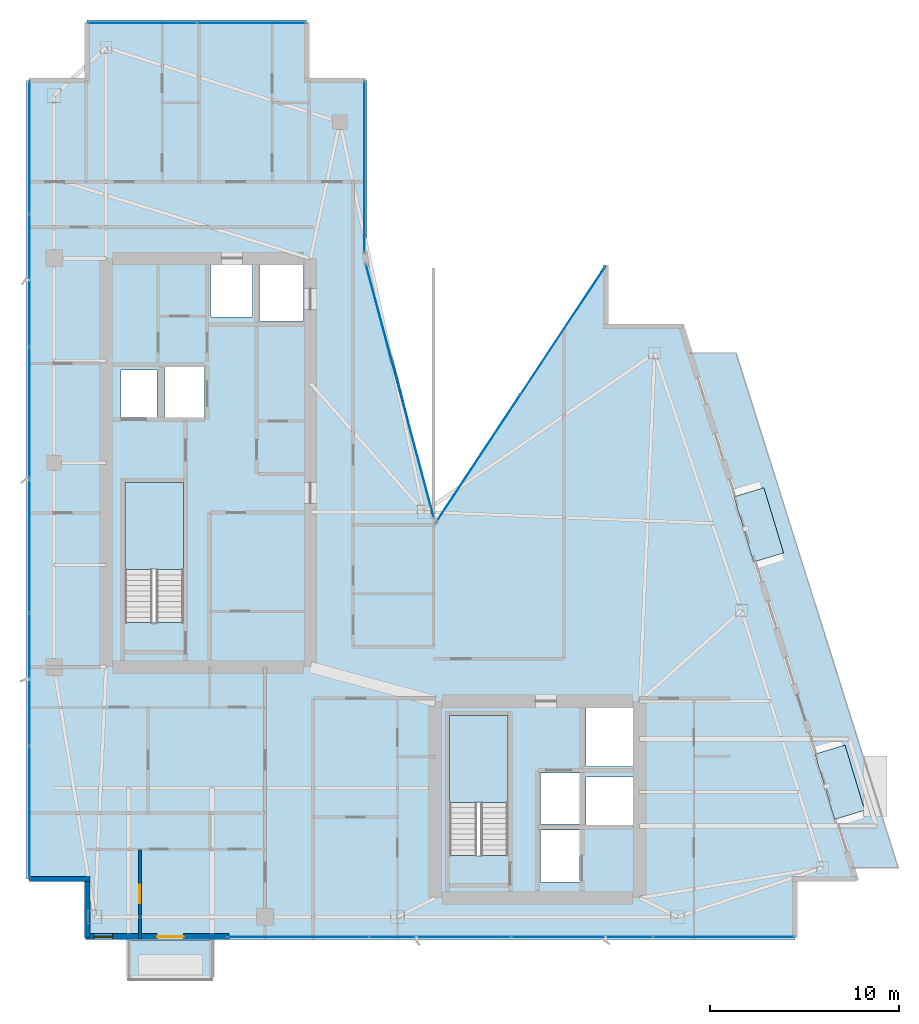
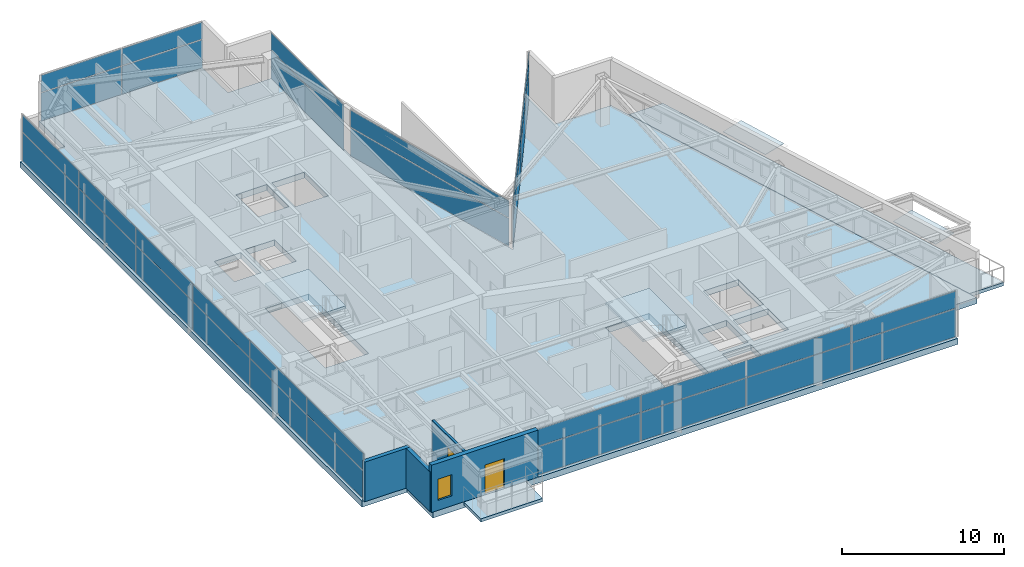
# One storey, part 22 of 28: 34 plates, 5 slabs, 4 walls, 2 doors, 1 window, 3 openings, 8 elements without a shape of their own.
"""IFC4 building model written with IfcOpenShell, lengths in metres."""

from ifc_helpers import new_model, si_unit, direction, frame, frame_2d, origin, origin_2d, place, context, subcontext, project, spatial, polyline, rectangle, outline, extrude, material, layer, layer_set, type_object, element, fill, aggregate, save


model = new_model("IFC4")

# Units and contexts
model_context = context("Model", 3, precision=1e-05, world=origin(), true_north=direction((0.0, 1.0)))
body_context = subcontext(model_context, "Body", "Model", "MODEL_VIEW")
ifc_project = project(units=[si_unit("LENGTHUNIT", "METRE"), si_unit("AREAUNIT", "SQUARE_METRE"), si_unit("VOLUMEUNIT", "CUBIC_METRE"), si_unit("PLANEANGLEUNIT", "RADIAN"), si_unit("MASSUNIT", "GRAM", prefix="KILO")], contexts=[model_context])

# Site, building, storey
site_placement = place(None, origin())
site = spatial("IfcSite", under=ifc_project, at=site_placement, CompositionType="ELEMENT")
building_placement = place(site_placement, origin())
building = spatial("IfcBuilding", under=site, at=building_placement, Name="Calvorn Quay Hotel", CompositionType="ELEMENT")
storey_placement = place(building_placement, frame((0.0, 0.0, 263.5)))
storey = spatial("IfcBuildingStorey", under=building, at=storey_placement, Name="L65", CompositionType="ELEMENT", Elevation=263.5)

# Curtain wall, plates
ifc_material_1 = material(Name="Champagne Bronze Anodised Aluminium and Low-E Glass", Category="aluminium")
ifc_layer_1 = layer(ifc_material_1, 0.219970703125)
ifc_layer_set_1 = layer_set([ifc_layer_1], Name="CW-SYS-Z4")
curtain_wall_type = type_object("IfcCurtainWallType", Name="CW-SYS-Z4", PredefinedType="NOTDEFINED", material=ifc_layer_set_1)
curtain_wall_1_placement = place(storey_placement, origin())
curtain_wall_1 = element("IfcCurtainWall", 1, at=curtain_wall_1_placement, inside=storey, type_object=curtain_wall_type, Name="Tower West Curtain Wall (L65)", PredefinedType="NOTDEFINED")
ifc_material_2 = material(Name="Low-E Laminated Double Glazing", Category="glass")
ifc_layer_2 = layer(ifc_material_2, 0.028076171875)
ifc_layer_set_2 = layer_set([ifc_layer_2], Name="CW-SYS-Z4-PAN")
plate_type_1 = type_object("IfcPlateType", Name="CW-SYS-Z4-PAN", PredefinedType="CURTAIN_PANEL", material=ifc_layer_set_2)
plate_1_placement = place(storey_placement, frame((0.14990234375, 9.131591796875, 0.06005859375), z_axis=(0.0, 0.0, 1.0), x_axis=(0.0, 1.0, 0.0)))
plate_1 = element("IfcPlate", 2, at=plate_1_placement, type_object=plate_type_1, Name="CW-L65-W panel 1.1", PredefinedType="CURTAIN_PANEL", context=body_context, shape_type="SweptSolid", body=[
    extrude(rectangle(XDim=6.943359375, YDim=0.028076171875, at=origin_2d()), origin(), (0.0, 0.0, 1.0), 2.110107421875),
])
plate_2_placement = place(storey_placement, frame((0.14990234375, 9.131591796875, 2.22998046875), z_axis=(0.0, 0.0, 1.0), x_axis=(0.0, 1.0, 0.0)))
plate_2 = element("IfcPlate", 3, at=plate_2_placement, type_object=plate_type_1, Name="CW-L65-W panel 1.2", PredefinedType="CURTAIN_PANEL", context=body_context, shape_type="SweptSolid", body=[
    extrude(rectangle(XDim=6.943359375, YDim=0.028076171875, at=origin_2d()), origin(), (0.0, 0.0, 1.0), 1.27001953125),
])
plate_3_placement = place(storey_placement, frame((0.14990234375, 16.14990234375, 0.06005859375), z_axis=(0.0, 0.0, 1.0), x_axis=(0.0, 1.0, 0.0)))
plate_3 = element("IfcPlate", 4, at=plate_3_placement, type_object=plate_type_1, Name="CW-L65-W panel 2.1", PredefinedType="CURTAIN_PANEL", context=body_context, shape_type="SweptSolid", body=[
    extrude(rectangle(XDim=6.973388671875, YDim=0.028076171875, at=origin_2d()), origin(), (0.0, 0.0, 1.0), 2.110107421875),
])
plate_4_placement = place(storey_placement, frame((0.14990234375, 16.14990234375, 2.22998046875), z_axis=(0.0, 0.0, 1.0), x_axis=(0.0, 1.0, 0.0)))
plate_4 = element("IfcPlate", 5, at=plate_4_placement, type_object=plate_type_1, Name="CW-L65-W panel 2.2", PredefinedType="CURTAIN_PANEL", context=body_context, shape_type="SweptSolid", body=[
    extrude(rectangle(XDim=6.973388671875, YDim=0.028076171875, at=origin_2d()), origin(), (0.0, 0.0, 1.0), 1.27001953125),
])
plate_5_placement = place(storey_placement, frame((0.14990234375, 23.183349609375, 0.06005859375), z_axis=(0.0, 0.0, 1.0), x_axis=(0.0, 1.0, 0.0)))
plate_5 = element("IfcPlate", 6, at=plate_5_placement, type_object=plate_type_1, Name="CW-L65-W panel 3.1", PredefinedType="CURTAIN_PANEL", context=body_context, shape_type="SweptSolid", body=[
    extrude(rectangle(XDim=6.973388671875, YDim=0.028076171875, at=origin_2d()), origin(), (0.0, 0.0, 1.0), 2.110107421875),
])
plate_6_placement = place(storey_placement, frame((0.14990234375, 23.183349609375, 2.22998046875), z_axis=(0.0, 0.0, 1.0), x_axis=(0.0, 1.0, 0.0)))
plate_6 = element("IfcPlate", 7, at=plate_6_placement, type_object=plate_type_1, Name="CW-L65-W panel 3.2", PredefinedType="CURTAIN_PANEL", context=body_context, shape_type="SweptSolid", body=[
    extrude(rectangle(XDim=6.973388671875, YDim=0.028076171875, at=origin_2d()), origin(), (0.0, 0.0, 1.0), 1.27001953125),
])
plate_7_placement = place(storey_placement, frame((0.14990234375, 30.216552734375, 0.06005859375), z_axis=(0.0, 0.0, 1.0), x_axis=(0.0, 1.0, 0.0)))
plate_7 = element("IfcPlate", 8, at=plate_7_placement, type_object=plate_type_1, Name="CW-L65-W panel 4.1", PredefinedType="CURTAIN_PANEL", context=body_context, shape_type="SweptSolid", body=[
    extrude(rectangle(XDim=6.973388671875, YDim=0.028076171875, at=origin_2d()), origin(), (0.0, 0.0, 1.0), 2.110107421875),
])
plate_8_placement = place(storey_placement, frame((0.14990234375, 30.216552734375, 2.22998046875), z_axis=(0.0, 0.0, 1.0), x_axis=(0.0, 1.0, 0.0)))
plate_8 = element("IfcPlate", 9, at=plate_8_placement, type_object=plate_type_1, Name="CW-L65-W panel 4.2", PredefinedType="CURTAIN_PANEL", context=body_context, shape_type="SweptSolid", body=[
    extrude(rectangle(XDim=6.973388671875, YDim=0.028076171875, at=origin_2d()), origin(), (0.0, 0.0, 1.0), 1.27001953125),
])
plate_9_placement = place(storey_placement, frame((0.14990234375, 37.25, 0.06005859375), z_axis=(0.0, 0.0, 1.0), x_axis=(0.0, 1.0, 0.0)))
plate_9 = element("IfcPlate", 10, at=plate_9_placement, type_object=plate_type_1, Name="CW-L65-W panel 5.1", PredefinedType="CURTAIN_PANEL", context=body_context, shape_type="SweptSolid", body=[
    extrude(rectangle(XDim=6.973388671875, YDim=0.028076171875, at=origin_2d()), origin(), (0.0, 0.0, 1.0), 2.110107421875),
])
plate_10_placement = place(storey_placement, frame((0.14990234375, 37.25, 2.22998046875), z_axis=(0.0, 0.0, 1.0), x_axis=(0.0, 1.0, 0.0)))
plate_10 = element("IfcPlate", 11, at=plate_10_placement, type_object=plate_type_1, Name="CW-L65-W panel 5.2", PredefinedType="CURTAIN_PANEL", context=body_context, shape_type="SweptSolid", body=[
    extrude(rectangle(XDim=6.973388671875, YDim=0.028076171875, at=origin_2d()), origin(), (0.0, 0.0, 1.0), 1.27001953125),
])
plate_11_placement = place(storey_placement, frame((0.14990234375, 44.268310546875, 0.06005859375), z_axis=(0.0, 0.0, 1.0), x_axis=(0.0, 1.0, 0.0)))
plate_11 = element("IfcPlate", 12, at=plate_11_placement, type_object=plate_type_1, Name="CW-L65-W panel 6.1", PredefinedType="CURTAIN_PANEL", context=body_context, shape_type="SweptSolid", body=[
    extrude(rectangle(XDim=6.943359375, YDim=0.028076171875, at=origin_2d()), origin(), (0.0, 0.0, 1.0), 2.110107421875),
])
plate_12_placement = place(storey_placement, frame((0.14990234375, 44.268310546875, 2.22998046875), z_axis=(0.0, 0.0, 1.0), x_axis=(0.0, 1.0, 0.0)))
plate_12 = element("IfcPlate", 13, at=plate_12_placement, type_object=plate_type_1, Name="CW-L65-W panel 6.2", PredefinedType="CURTAIN_PANEL", context=body_context, shape_type="SweptSolid", body=[
    extrude(rectangle(XDim=6.943359375, YDim=0.028076171875, at=origin_2d()), origin(), (0.0, 0.0, 1.0), 1.27001953125),
])
aggregate(curtain_wall_1, [plate_1, plate_2, plate_3, plate_4, plate_5, plate_6, plate_7, plate_8, plate_9, plate_10, plate_11, plate_12])

curtain_wall_2_placement = place(storey_placement, origin())
curtain_wall_2 = element("IfcCurtainWall", 14, at=curtain_wall_2_placement, inside=storey, type_object=curtain_wall_type, Name="Tower South Waterfront Curtain Wall (L65)", PredefinedType="NOTDEFINED")
plate_13_placement = place(storey_placement, frame((14.364990234375, 2.550048828125, 0.06005859375), z_axis=(0.0, 0.0, 1.0), x_axis=(1.0, 0.0, 0.0)))
plate_13 = element("IfcPlate", 15, at=plate_13_placement, type_object=plate_type_1, Name="CW-L65-S panel 1.1", PredefinedType="CURTAIN_PANEL", context=body_context, shape_type="SweptSolid", body=[
    extrude(rectangle(XDim=7.409912109375, YDim=0.028076171875, at=origin_2d()), origin(), (0.0, 0.0, 1.0), 2.110107421875),
])
plate_14_placement = place(storey_placement, frame((14.364990234375, 2.550048828125, 2.22998046875), z_axis=(0.0, 0.0, 1.0), x_axis=(1.0, 0.0, 0.0)))
plate_14 = element("IfcPlate", 16, at=plate_14_placement, type_object=plate_type_1, Name="CW-L65-S panel 1.2", PredefinedType="CURTAIN_PANEL", context=body_context, shape_type="SweptSolid", body=[
    extrude(rectangle(XDim=7.409912109375, YDim=0.028076171875, at=origin_2d()), origin(), (0.0, 0.0, 1.0), 1.27001953125),
])
plate_15_placement = place(storey_placement, frame((21.85009765625, 2.550048828125, 0.06005859375), z_axis=(0.0, 0.0, 1.0), x_axis=(1.0, 0.0, 0.0)))
plate_15 = element("IfcPlate", 17, at=plate_15_placement, type_object=plate_type_1, Name="CW-L65-S panel 2.1", PredefinedType="CURTAIN_PANEL", context=body_context, shape_type="SweptSolid", body=[
    extrude(rectangle(XDim=7.43994140625, YDim=0.028076171875, at=origin_2d()), origin(), (0.0, 0.0, 1.0), 2.110107421875),
])
plate_16_placement = place(storey_placement, frame((21.85009765625, 2.550048828125, 2.22998046875), z_axis=(0.0, 0.0, 1.0), x_axis=(1.0, 0.0, 0.0)))
plate_16 = element("IfcPlate", 18, at=plate_16_placement, type_object=plate_type_1, Name="CW-L65-S panel 2.2", PredefinedType="CURTAIN_PANEL", context=body_context, shape_type="SweptSolid", body=[
    extrude(rectangle(XDim=7.43994140625, YDim=0.028076171875, at=origin_2d()), origin(), (0.0, 0.0, 1.0), 1.27001953125),
])
plate_17_placement = place(storey_placement, frame((29.35009765625, 2.550048828125, 0.06005859375), z_axis=(0.0, 0.0, 1.0), x_axis=(1.0, 0.0, 0.0)))
plate_17 = element("IfcPlate", 19, at=plate_17_placement, type_object=plate_type_1, Name="CW-L65-S panel 3.1", PredefinedType="CURTAIN_PANEL", context=body_context, shape_type="SweptSolid", body=[
    extrude(rectangle(XDim=7.43994140625, YDim=0.028076171875, at=origin_2d()), origin(), (0.0, 0.0, 1.0), 2.110107421875),
])
plate_18_placement = place(storey_placement, frame((29.35009765625, 2.550048828125, 2.22998046875), z_axis=(0.0, 0.0, 1.0), x_axis=(1.0, 0.0, 0.0)))
plate_18 = element("IfcPlate", 20, at=plate_18_placement, type_object=plate_type_1, Name="CW-L65-S panel 3.2", PredefinedType="CURTAIN_PANEL", context=body_context, shape_type="SweptSolid", body=[
    extrude(rectangle(XDim=7.43994140625, YDim=0.028076171875, at=origin_2d()), origin(), (0.0, 0.0, 1.0), 1.27001953125),
])
plate_19_placement = place(storey_placement, frame((36.8349609375, 2.550048828125, 0.06005859375), z_axis=(0.0, 0.0, 1.0), x_axis=(1.0, 0.0, 0.0)))
plate_19 = element("IfcPlate", 21, at=plate_19_placement, type_object=plate_type_1, Name="CW-L65-S panel 4.1", PredefinedType="CURTAIN_PANEL", context=body_context, shape_type="SweptSolid", body=[
    extrude(rectangle(XDim=7.409912109375, YDim=0.028076171875, at=origin_2d()), origin(), (0.0, 0.0, 1.0), 2.110107421875),
])
plate_20_placement = place(storey_placement, frame((36.8349609375, 2.550048828125, 2.22998046875), z_axis=(0.0, 0.0, 1.0), x_axis=(1.0, 0.0, 0.0)))
plate_20 = element("IfcPlate", 22, at=plate_20_placement, type_object=plate_type_1, Name="CW-L65-S panel 4.2", PredefinedType="CURTAIN_PANEL", context=body_context, shape_type="SweptSolid", body=[
    extrude(rectangle(XDim=7.409912109375, YDim=0.028076171875, at=origin_2d()), origin(), (0.0, 0.0, 1.0), 1.27001953125),
])
aggregate(curtain_wall_2, [plate_13, plate_14, plate_15, plate_16, plate_17, plate_18, plate_19, plate_20])

curtain_wall_3_placement = place(storey_placement, origin())
curtain_wall_3 = element("IfcCurtainWall", 23, at=curtain_wall_3_placement, inside=storey, type_object=curtain_wall_type, Name="Inner Court Curtain Wall L65-NE1", PredefinedType="NOTDEFINED")
plate_21_placement = place(storey_placement, frame((28.341796875, 34.58740234375, 0.06005859375), z_axis=(0.0, 0.0, 1.0), x_axis=(-0.551866900852, -0.833932205724, 0.0)))
plate_21 = element("IfcPlate", 24, at=plate_21_placement, type_object=plate_type_1, Name="CW-L65-NE1 panel 1.1", PredefinedType="CURTAIN_PANEL", context=body_context, shape_type="SweptSolid", body=[
    extrude(rectangle(XDim=8.064208984375, YDim=0.028076171875, at=origin_2d()), origin(), (0.0, 0.0, 1.0), 2.110107421875),
])
plate_22_placement = place(storey_placement, frame((28.341796875, 34.58740234375, 2.22998046875), z_axis=(0.0, 0.0, 1.0), x_axis=(-0.551866900852, -0.833932205724, 0.0)))
plate_22 = element("IfcPlate", 25, at=plate_22_placement, type_object=plate_type_1, Name="CW-L65-NE1 panel 1.2", PredefinedType="CURTAIN_PANEL", context=body_context, shape_type="SweptSolid", body=[
    extrude(rectangle(XDim=8.064208984375, YDim=0.028076171875, at=origin_2d()), origin(), (0.0, 0.0, 1.0), 1.27001953125),
])
plate_23_placement = place(storey_placement, frame((23.8583984375, 27.8125, 0.06005859375), z_axis=(0.0, 0.0, 1.0), x_axis=(-0.551866900852, -0.833932205724, 0.0)))
plate_23 = element("IfcPlate", 26, at=plate_23_placement, type_object=plate_type_1, Name="CW-L65-NE1 panel 2.1", PredefinedType="CURTAIN_PANEL", context=body_context, shape_type="SweptSolid", body=[
    extrude(rectangle(XDim=8.064208984375, YDim=0.028076171875, at=origin_2d()), origin(), (0.0, 0.0, 1.0), 2.110107421875),
])
plate_24_placement = place(storey_placement, frame((23.8583984375, 27.8125, 2.22998046875), z_axis=(0.0, 0.0, 1.0), x_axis=(-0.551866900852, -0.833932205724, 0.0)))
plate_24 = element("IfcPlate", 27, at=plate_24_placement, type_object=plate_type_1, Name="CW-L65-NE1 panel 2.2", PredefinedType="CURTAIN_PANEL", context=body_context, shape_type="SweptSolid", body=[
    extrude(rectangle(XDim=8.064208984375, YDim=0.028076171875, at=origin_2d()), origin(), (0.0, 0.0, 1.0), 1.27001953125),
])
aggregate(curtain_wall_3, [plate_21, plate_22, plate_23, plate_24])

curtain_wall_4_placement = place(storey_placement, origin())
curtain_wall_4 = element("IfcCurtainWall", 28, at=curtain_wall_4_placement, inside=storey, type_object=curtain_wall_type, Name="Inner Court Curtain Wall L65-IC1", PredefinedType="NOTDEFINED")
plate_25_placement = place(storey_placement, frame((19.72509765625, 31.39990234375, 0.06005859375), z_axis=(0.0, 0.0, 1.0), x_axis=(-0.25877913024, 0.96593652056, 0.0)))
plate_25 = element("IfcPlate", 29, at=plate_25_placement, type_object=plate_type_1, Name="CW-L65-IC1 panel 1.1", PredefinedType="CURTAIN_PANEL", context=body_context, shape_type="SweptSolid", body=[
    extrude(rectangle(XDim=13.814697265625, YDim=0.028076171875, at=origin_2d()), origin(), (0.0, 0.0, 1.0), 2.110107421875),
])
plate_26_placement = place(storey_placement, frame((19.72509765625, 31.39990234375, 2.22998046875), z_axis=(0.0, 0.0, 1.0), x_axis=(-0.25877913024, 0.96593652056, 0.0)))
plate_26 = element("IfcPlate", 30, at=plate_26_placement, type_object=plate_type_1, Name="CW-L65-IC1 panel 1.2", PredefinedType="CURTAIN_PANEL", context=body_context, shape_type="SweptSolid", body=[
    extrude(rectangle(XDim=13.814697265625, YDim=0.028076171875, at=origin_2d()), origin(), (0.0, 0.0, 1.0), 1.27001953125),
])
aggregate(curtain_wall_4, [plate_25, plate_26])

curtain_wall_5_placement = place(storey_placement, origin())
curtain_wall_5 = element("IfcCurtainWall", 31, at=curtain_wall_5_placement, inside=storey, type_object=curtain_wall_type, Name="Inner Court Curtain Wall L65-IC2", PredefinedType="NOTDEFINED")
plate_27_placement = place(storey_placement, frame((17.85009765625, 43.239990234375, 0.06005859375), z_axis=(0.0, 0.0, 1.0), x_axis=(0.0, 1.0, 0.0)))
plate_27 = element("IfcPlate", 32, at=plate_27_placement, type_object=plate_type_1, Name="CW-L65-IC2 panel 1.1", PredefinedType="CURTAIN_PANEL", context=body_context, shape_type="SweptSolid", body=[
    extrude(rectangle(XDim=9.0, YDim=0.028076171875, at=origin_2d()), origin(), (0.0, 0.0, 1.0), 2.110107421875),
])
plate_28_placement = place(storey_placement, frame((17.85009765625, 43.239990234375, 2.22998046875), z_axis=(0.0, 0.0, 1.0), x_axis=(0.0, 1.0, 0.0)))
plate_28 = element("IfcPlate", 33, at=plate_28_placement, type_object=plate_type_1, Name="CW-L65-IC2 panel 1.2", PredefinedType="CURTAIN_PANEL", context=body_context, shape_type="SweptSolid", body=[
    extrude(rectangle(XDim=9.0, YDim=0.028076171875, at=origin_2d()), origin(), (0.0, 0.0, 1.0), 1.27001953125),
])
aggregate(curtain_wall_5, [plate_27, plate_28])

curtain_wall_6_placement = place(storey_placement, origin())
curtain_wall_6 = element("IfcCurtainWall", 34, at=curtain_wall_6_placement, inside=storey, type_object=curtain_wall_type, Name="Inner Court Curtain Wall L65-N1", PredefinedType="NOTDEFINED")
plate_29_placement = place(storey_placement, frame((11.885009765625, 50.85009765625, 0.06005859375), z_axis=(0.0, 0.0, 1.0), x_axis=(-1.0, 0.0, 0.0)))
plate_29 = element("IfcPlate", 35, at=plate_29_placement, type_object=plate_type_1, Name="CW-L65-N1 panel 1.1", PredefinedType="CURTAIN_PANEL", context=body_context, shape_type="SweptSolid", body=[
    extrude(rectangle(XDim=5.7099609375, YDim=0.028076171875, at=origin_2d()), origin(), (0.0, 0.0, 1.0), 2.110107421875),
])
plate_30_placement = place(storey_placement, frame((11.885009765625, 50.85009765625, 2.22998046875), z_axis=(0.0, 0.0, 1.0), x_axis=(-1.0, 0.0, 0.0)))
plate_30 = element("IfcPlate", 36, at=plate_30_placement, type_object=plate_type_1, Name="CW-L65-N1 panel 1.2", PredefinedType="CURTAIN_PANEL", context=body_context, shape_type="SweptSolid", body=[
    extrude(rectangle(XDim=5.7099609375, YDim=0.028076171875, at=origin_2d()), origin(), (0.0, 0.0, 1.0), 1.27001953125),
])
plate_31_placement = place(storey_placement, frame((6.114990234375, 50.85009765625, 0.06005859375), z_axis=(0.0, 0.0, 1.0), x_axis=(-1.0, 0.0, 0.0)))
plate_31 = element("IfcPlate", 37, at=plate_31_placement, type_object=plate_type_1, Name="CW-L65-N1 panel 2.1", PredefinedType="CURTAIN_PANEL", context=body_context, shape_type="SweptSolid", body=[
    extrude(rectangle(XDim=5.7099609375, YDim=0.028076171875, at=origin_2d()), origin(), (0.0, 0.0, 1.0), 2.110107421875),
])
plate_32_placement = place(storey_placement, frame((6.114990234375, 50.85009765625, 2.22998046875), z_axis=(0.0, 0.0, 1.0), x_axis=(-1.0, 0.0, 0.0)))
plate_32 = element("IfcPlate", 38, at=plate_32_placement, type_object=plate_type_1, Name="CW-L65-N1 panel 2.2", PredefinedType="CURTAIN_PANEL", context=body_context, shape_type="SweptSolid", body=[
    extrude(rectangle(XDim=5.7099609375, YDim=0.028076171875, at=origin_2d()), origin(), (0.0, 0.0, 1.0), 1.27001953125),
])
aggregate(curtain_wall_6, [plate_29, plate_30, plate_31, plate_32])

# Plates
ifc_material_3 = material(Name="Tempered Laminated Low-E Glass", Category="glass")
ifc_layer_3 = layer(ifc_material_3, 0.0380859375)
ifc_layer_set_3 = layer_set([ifc_layer_3], Name="PLT-HOOD-GLAZ")
plate_type_2 = type_object("IfcPlateType", Name="PLT-HOOD-GLAZ", PredefinedType="SHEET", material=ifc_layer_set_3)
for number, where, z_axis, x_axis, name in (
    (39, (42.97412109375, 10.718017578125, 2.467041015625), (0.0, 0.0, 1.0), (0.957319497532, 0.289031796944, 0.0), "Angled Glass Bay Hood Panel L65-HOOD-1"),
    (40, (38.68896484375, 24.318115234375, 2.467041015625), (0.0, 0.0, 1.0), (0.957319497532, 0.289031796944, 0.0), "Angled Glass Bay Hood Panel L65-HOOD-3"),
):
    element("IfcPlate", number, at=place(storey_placement, frame(where, z_axis=z_axis, x_axis=x_axis)), inside=storey, type_object=plate_type_2, Name=name, PredefinedType="SHEET", context=body_context, shape_type="SweptSolid", body=[
        extrude(rectangle(XDim=1.659912109375, YDim=3.60009765625, at=origin_2d()), origin(), (0.0, 0.0, 1.0), 0.0380859375),
    ])

# Slab
ifc_material_4 = material(Name="Concrete C40", Category="concrete")
ifc_layer_4 = layer(ifc_material_4, 0.239990234375)
ifc_layer_set_4 = layer_set([ifc_layer_4], Name="SLB-BALCONY-220")
slab_type_1 = type_object("IfcSlabType", Name="SLB-BALCONY-220", PredefinedType="FLOOR", material=ifc_layer_set_4)
slab_1_placement = place(storey_placement, frame((0.0, 0.0, -0.239990234375)))
element("IfcSlab", 41, at=slab_1_placement, inside=storey, type_object=slab_type_1, Name="Tree Balcony Slab L65-BALC-S", PredefinedType="FLOOR", context=body_context, shape_type="SweptSolid", body=[
    extrude(outline(polyline([(5.39990234375, 0.2900390625), (9.800048828125, 0.2900390625), (9.800048828125, 2.389892578125), (5.39990234375, 2.389892578125), (5.39990234375, 0.2900390625)])), origin(), (0.0, 0.0, 1.0), 0.239990234375),
])

# Stair, slab
ifc_material_5 = material(Name="Concrete C40", Category="concrete")
stair_type = type_object("IfcStairType", Name="STR-CORE-DOGLEG", PredefinedType="HALF_TURN_STAIR", material=ifc_material_5)
stair_1_placement = place(storey_placement, origin())
stair_1 = element("IfcStair", 42, at=stair_1_placement, inside=storey, type_object=stair_type, Name="L65 ST-W", PredefinedType="HALF_TURN_STAIR")
ifc_material_6 = material(Name="Concrete C40", Category="concrete")
ifc_layer_5 = layer(ifc_material_6, 0.199951171875)
ifc_layer_set_5 = layer_set([ifc_layer_5], Name="SLB-STAIR-LANDING-200")
slab_type_2 = type_object("IfcSlabType", Name="SLB-STAIR-LANDING-200", PredefinedType="LANDING", material=ifc_layer_set_5)
slab_2_placement = place(storey_placement, frame((0.0, 0.0, 1.699951171875)))
slab_2 = element("IfcSlab", 43, at=slab_2_placement, type_object=slab_type_2, Name="ST-W landing 1", PredefinedType="LANDING", context=body_context, shape_type="SweptSolid", body=[
    extrude(outline(polyline([(8.300048828125, 21.949951171875), (8.300048828125, 26.550048828125), (5.199951171875, 26.550048828125), (5.199951171875, 21.949951171875), (8.300048828125, 21.949951171875)])), origin(), (0.0, 0.0, 1.0), 0.199951171875),
])
aggregate(stair_1, [slab_2])

stair_2_placement = place(storey_placement, origin())
stair_2 = element("IfcStair", 44, at=stair_2_placement, inside=storey, type_object=stair_type, Name="L65 ST-E", PredefinedType="HALF_TURN_STAIR")
slab_3_placement = place(storey_placement, frame((0.0, 0.0, 1.699951171875)))
slab_3 = element("IfcSlab", 45, at=slab_3_placement, type_object=slab_type_2, Name="ST-E landing 1", PredefinedType="LANDING", context=body_context, shape_type="SweptSolid", body=[
    extrude(outline(polyline([(25.449951171875, 9.64990234375), (25.449951171875, 14.25), (22.35009765625, 14.25), (22.35009765625, 9.64990234375), (25.449951171875, 9.64990234375)])), origin(), (0.0, 0.0, 1.0), 0.199951171875),
])
aggregate(stair_2, [slab_3])

# Slabs
ifc_material_7 = material(Name="Concrete C40", Category="concrete")
ifc_layer_6 = layer(ifc_material_7, 0.260009765625)
ifc_layer_set_6 = layer_set([ifc_layer_6], Name="SLB-TERRACE-260")
slab_type_3 = type_object("IfcSlabType", Name="SLB-TERRACE-260", PredefinedType="ROOF", material=ifc_layer_set_6)
slab_4_placement = place(storey_placement, frame((0.0, 0.0, -0.260009765625)))
element("IfcSlab", 46, at=slab_4_placement, inside=storey, type_object=slab_type_3, Name="Sawtooth Setback Terrace Slab L65", PredefinedType="ROOF", context=body_context, shape_type="SweptSolid", body=[
    extrude(outline(polyline([(43.631103515625, 6.199951171875), (46.06103515625, 6.199951171875), (37.490966796875, 33.39990234375), (35.06103515625, 33.39990234375), (43.631103515625, 6.199951171875)])), origin(), (0.0, 0.0, 1.0), 0.260009765625),
])
ifc_material_8 = material(Name="Concrete C50", Category="concrete")
ifc_layer_7 = layer(ifc_material_8, 0.449951171875)
ifc_layer_set_7 = layer_set([ifc_layer_7], Name="SLB-XFER-450")
slab_type_4 = type_object("IfcSlabType", Name="SLB-XFER-450", PredefinedType="FLOOR", material=ifc_layer_set_7)
slab_5_placement = place(storey_placement, frame((0.0, 0.0, -0.449951171875)))
element("IfcSlab", 47, at=slab_5_placement, inside=storey, type_object=slab_type_4, Name="L65 Structural Floor Slab", PredefinedType="FLOOR", context=body_context, shape_type="SweptSolid", body=[
    extrude(outline(polyline([(0.0, 5.60009765625), (3.199951171875, 5.60009765625), (3.199951171875, 2.39990234375), (40.60009765625, 2.39990234375), (40.60009765625, 5.60009765625), (43.800048828125, 5.60009765625), (34.60009765625, 34.800048828125), (30.60009765625, 34.800048828125), (30.60009765625, 38.0), (21.60009765625, 24.39990234375), (18.0, 38.39990234375), (18.0, 47.800048828125), (14.800048828125, 47.800048828125), (14.800048828125, 51.0), (3.199951171875, 51.0), (3.199951171875, 47.800048828125), (0.0, 47.800048828125), (0.0, 5.60009765625)]), holes=[polyline([(5.199951171875, 19.156005859375), (8.300048828125, 19.156005859375), (8.300048828125, 26.550048828125), (5.199951171875, 26.550048828125), (5.199951171875, 19.156005859375)]), polyline([(22.35009765625, 6.85595703125), (25.449951171875, 6.85595703125), (25.449951171875, 14.25), (22.35009765625, 14.25), (22.35009765625, 6.85595703125)]), polyline([(5.0, 30.0), (6.89990234375, 30.0), (6.89990234375, 32.5), (5.0, 32.5), (5.0, 30.0)]), polyline([(7.300048828125, 30.0), (9.39990234375, 30.0), (9.39990234375, 32.64990234375), (7.300048828125, 32.64990234375), (7.300048828125, 30.0)]), polyline([(27.159912109375, 8.5), (29.2099609375, 8.5), (29.2099609375, 11.199951171875), (27.159912109375, 11.199951171875), (27.159912109375, 8.5)]), polyline([(27.159912109375, 5.449951171875), (29.2099609375, 5.449951171875), (29.2099609375, 8.199951171875), (27.159912109375, 8.199951171875), (27.159912109375, 5.449951171875)]), polyline([(12.300048828125, 35.10009765625), (14.639892578125, 35.10009765625), (14.639892578125, 38.0400390625), (12.300048828125, 38.0400390625), (12.300048828125, 35.10009765625)]), polyline([(9.75, 35.300048828125), (11.949951171875, 35.300048828125), (11.949951171875, 38.0400390625), (9.75, 38.0400390625), (9.75, 35.300048828125)]), polyline([(29.550048828125, 11.550048828125), (32.0400390625, 11.550048828125), (32.0400390625, 14.639892578125), (29.550048828125, 14.639892578125), (29.550048828125, 11.550048828125)]), polyline([(29.550048828125, 8.449951171875), (32.0400390625, 8.449951171875), (32.0400390625, 11.0), (29.550048828125, 11.0), (29.550048828125, 8.449951171875)])]), origin(), (0.0, 0.0, 1.0), 0.449951171875),
])

# Wall, openings, door, window
ifc_material_9 = material(Name="Concrete C40", Category="concrete")
ifc_layer_8 = layer(ifc_material_9, 0.320068359375)
ifc_layer_set_8 = layer_set([ifc_layer_8], Name="WL-EXT-SPANDREL-320")
wall_type_1 = type_object("IfcWallType", Name="WL-EXT-SPANDREL-320", PredefinedType="SOLIDWALL", material=ifc_layer_set_8)
wall_1_placement = place(storey_placement, frame((3.10009765625, 2.56005859375, 0.0), z_axis=(0.0, 0.0, 1.0), x_axis=(1.0, 0.0, 0.0)))
wall_1 = element("IfcWall", 48, at=wall_1_placement, inside=storey, type_object=wall_type_1, Name="South Balcony Exterior Wall (L65)", PredefinedType="SOLIDWALL", context=body_context, shape_type="SweptSolid", body=[
    extrude(rectangle(XDim=7.599853515625, YDim=0.320068359375, at=frame_2d((3.7998046875, 0.0))), origin(), (0.0, 0.0, 1.0), 3.56005859375),
])
opening_1_placement = place(wall_1_placement, frame((0.449951171875, 0.0, 0.75)))
opening_1 = element("IfcOpeningElement", 49, at=opening_1_placement, cuts=wall_1, Name="Opening WSB-L65-1", PredefinedType="OPENING", context=body_context, shape_type="SweptSolid", body=[
    extrude(rectangle(XDim=1.0, YDim=1.60009765625, at=frame_2d((0.5, 0.800048828125))), frame((0.0, 0.169921875, 0.0), z_axis=(0.0, -1.0, 0.0), x_axis=(1.0, 0.0, 0.0)), (0.0, 0.0, 1.0), 0.340087890625),
])
opening_2_placement = place(wall_1_placement, frame((3.800048828125, 0.0, 0.0)))
opening_2 = element("IfcOpeningElement", 50, at=opening_2_placement, cuts=wall_1, Name="Opening DB-L65-1", PredefinedType="OPENING", context=body_context, shape_type="SweptSolid", body=[
    extrude(rectangle(XDim=1.39990234375, YDim=2.25, at=frame_2d((0.699951171875, 1.125))), frame((0.0, 0.169921875, 0.0), z_axis=(0.0, -1.0, 0.0), x_axis=(1.0, 0.0, 0.0)), (0.0, 0.0, 1.0), 0.340087890625),
])
ifc_material_10 = material(Name="Typhoon-Rated Low-E Aluminium Terrace Door", Category="aluminium")
door_type_1 = type_object("IfcDoorType", Name="DR-BALCONY-GLZ-1400", OperationType="NOTDEFINED", PredefinedType="DOOR", material=ifc_material_10)
door_1_placement = place(opening_2_placement, origin())
door_1 = element("IfcDoor", 51, at=door_1_placement, inside=storey, type_object=door_type_1, Name="Tree Balcony Terrace Door L65-BALC-S", OperationType="SINGLE_SWING_LEFT", OverallHeight=2.25, OverallWidth=1.39990234375, PredefinedType="DOOR", context=body_context, shape_type="SweptSolid", body=[
    extrude(rectangle(XDim=1.39990234375, YDim=2.25, at=frame_2d((0.699951171875, 1.125))), frame((0.0, 0.02490234375, 0.0), z_axis=(0.0, -1.0, 0.0), x_axis=(1.0, 0.0, 0.0)), (0.0, 0.0, 1.0), 0.050048828125),
])
fill(opening_2, door_1)
ifc_material_11 = material(Name="Self-Closing Class B Side Fire Window")
window_type = type_object("IfcWindowType", Name="WIN-REFUGE-NARROW-1000x1600", PartitioningType="SINGLE_PANEL", PredefinedType="WINDOW", material=ifc_material_11)
window_placement = place(opening_1_placement, origin())
window = element("IfcWindow", 52, at=window_placement, inside=storey, type_object=window_type, Name="South Waterfront Side Window (L65)", OverallHeight=1.60009765625, OverallWidth=1.0, PartitioningType="SINGLE_PANEL", PredefinedType="WINDOW", context=body_context, shape_type="SweptSolid", body=[
    extrude(rectangle(XDim=1.0, YDim=1.60009765625, at=frame_2d((0.5, 0.800048828125))), frame((0.0, 0.030029296875, 0.0), z_axis=(0.0, -1.0, 0.0), x_axis=(1.0, 0.0, 0.0)), (0.0, 0.0, 1.0), 0.06005859375),
])
fill(opening_1, window)

# Walls
wall_2_placement = place(storey_placement, frame((0.1201171875, 5.60009765625, 0.0), z_axis=(0.0, 0.0, 1.0), x_axis=(1.0, 0.0, 0.0)))
element("IfcWall", 53, at=wall_2_placement, inside=storey, type_object=wall_type_1, Name="Notched Corner Spandrel L65-SW1", PredefinedType="SOLIDWALL", context=body_context, shape_type="SweptSolid", body=[
    extrude(rectangle(XDim=3.219970703125, YDim=0.280029296875, at=frame_2d((1.60986328125, 0.0))), origin(), (0.0, 0.0, 1.0), 2.989990234375),
])
wall_3_placement = place(storey_placement, frame((3.199951171875, 5.4599609375, 0.0), z_axis=(0.0, 0.0, 1.0), x_axis=(0.0, -1.0, 0.0)))
element("IfcWall", 54, at=wall_3_placement, inside=storey, type_object=wall_type_1, Name="Notched Corner Spandrel L65-SW2", PredefinedType="SOLIDWALL", context=body_context, shape_type="SweptSolid", body=[
    extrude(rectangle(XDim=2.93994140625, YDim=0.280029296875, at=frame_2d((1.469970703125, 0.0))), origin(), (0.0, 0.0, 1.0), 2.989990234375),
])

# Wall, opening, door
ifc_material_12 = material(Name="Double-Stud Acoustic Gypsum Partition")
ifc_layer_9 = layer(ifc_material_12, 0.159912109375)
ifc_layer_set_9 = layer_set([ifc_layer_9], Name="WL-INTERSUITE-160")
wall_type_2 = type_object("IfcWallType", Name="WL-INTERSUITE-160", PredefinedType="PARTITIONING", material=ifc_layer_set_9)
wall_4_placement = place(storey_placement, frame((5.97998046875, 2.43994140625, 0.0), z_axis=(0.0, 0.0, 1.0), x_axis=(0.0, 1.0, 0.0)))
wall_4 = element("IfcWall", 55, at=wall_4_placement, inside=storey, type_object=wall_type_2, Name="Partition Wall L65-WL-U01-MSP", PredefinedType="PARTITIONING", context=body_context, shape_type="SweptSolid", body=[
    extrude(rectangle(XDim=4.72998046875, YDim=0.159912109375, at=frame_2d((2.364990234375, 0.0))), origin(), (0.0, 0.0, 1.0), 3.090087890625),
])
opening_3_placement = place(wall_4_placement, frame((1.889892578125, 0.0, 0.0)))
opening_3 = element("IfcOpeningElement", 56, at=opening_3_placement, cuts=wall_4, Name="Opening D-L65-M01", PredefinedType="OPENING", context=body_context, shape_type="SweptSolid", body=[
    extrude(rectangle(XDim=0.9599609375, YDim=2.199951171875, at=frame_2d((0.47998046875, 1.10009765625))), frame((0.0, 0.08984375, 0.0), z_axis=(0.0, -1.0, 0.0), x_axis=(1.0, 0.0, 0.0)), (0.0, 0.0, 1.0), 0.179931640625),
])
ifc_material_13 = material(Name="Solid Timber Internal Suite Door", Category="wood")
door_type_2 = type_object("IfcDoorType", Name="DR-SUITE-INT-960", OperationType="NOTDEFINED", PredefinedType="DOOR", material=ifc_material_13)
door_2_placement = place(opening_3_placement, origin())
door_2 = element("IfcDoor", 57, at=door_2_placement, inside=storey, type_object=door_type_2, Name="Suite Bedroom Door 01", OperationType="SINGLE_SWING_LEFT", OverallHeight=2.199951171875, OverallWidth=0.9599609375, PredefinedType="DOOR", context=body_context, shape_type="SweptSolid", body=[
    extrude(rectangle(XDim=0.9599609375, YDim=2.199951171875, at=frame_2d((0.47998046875, 1.10009765625))), frame((0.0, 0.02490234375, 0.0), z_axis=(0.0, -1.0, 0.0), x_axis=(1.0, 0.0, 0.0)), (0.0, 0.0, 1.0), 0.050048828125),
])
fill(opening_3, door_2)

save(model, "model.ifc")
